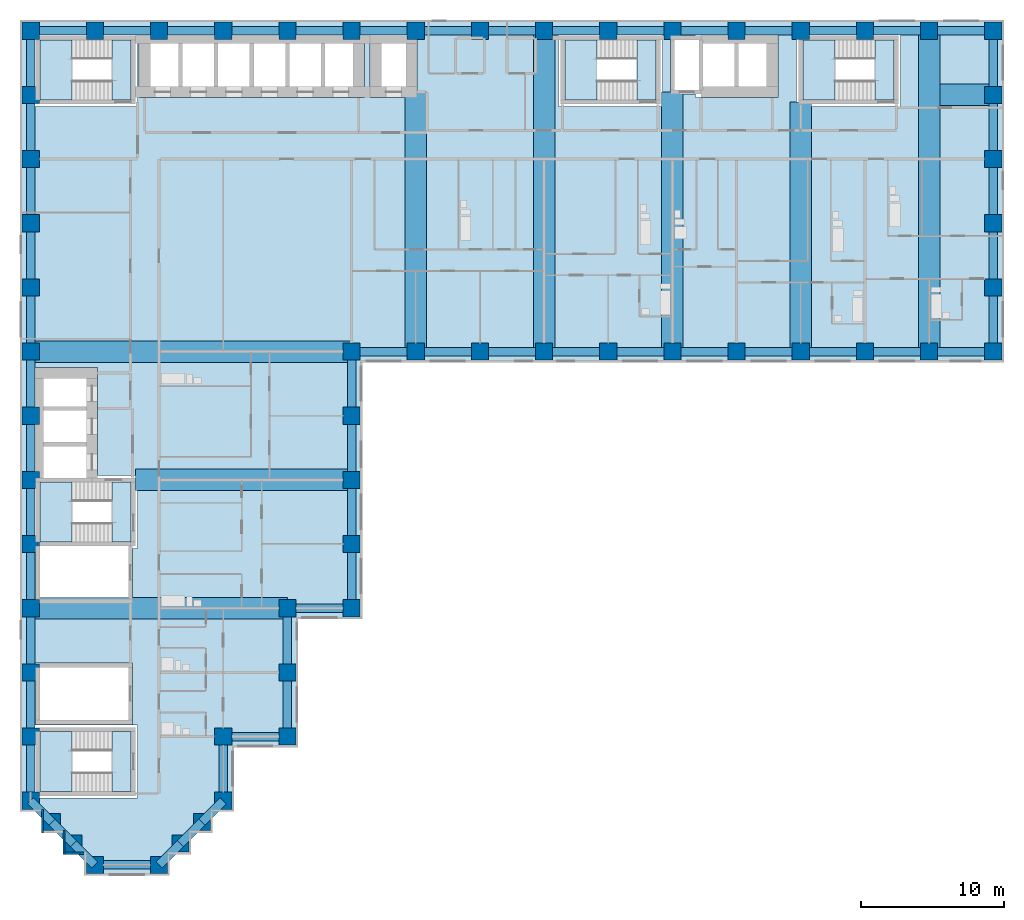
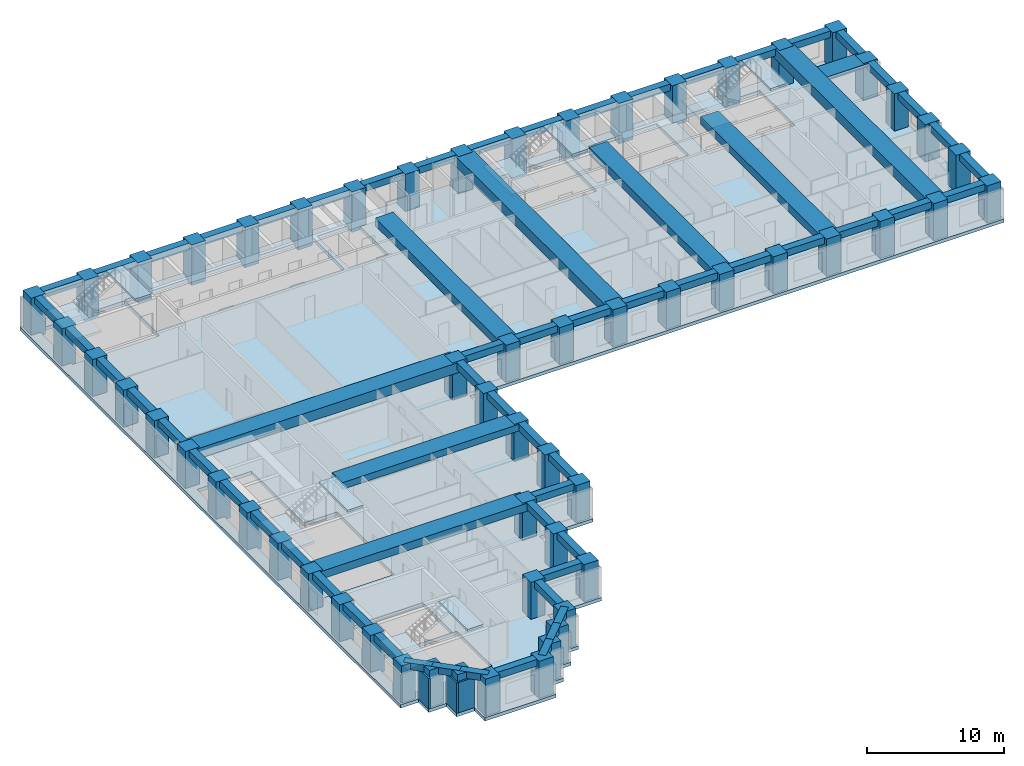
# One storey, part 1 of 12: 67 beams, 58 columns, 11 slabs, 3 walls, 5 elements without a shape of their own.
"""IFC4 building model written with IfcOpenShell, lengths in metres."""

from ifc_helpers import new_model, si_unit, direction, frame, frame_2d, origin, origin_2d, place, context, subcontext, project, spatial, polyline, rectangle, outline, extrude, material, layer, layer_set, material_profile, profile_set, type_object, element, aggregate, save


model = new_model("IFC4")

# Units and contexts
model_context = context("Model", 3, precision=1e-05, world=origin(), true_north=direction((0.0, 1.0)))
body_context = subcontext(model_context, "Body", "Model", "MODEL_VIEW")
ifc_project = project(units=[si_unit("LENGTHUNIT", "METRE"), si_unit("AREAUNIT", "SQUARE_METRE"), si_unit("VOLUMEUNIT", "CUBIC_METRE"), si_unit("PLANEANGLEUNIT", "RADIAN"), si_unit("MASSUNIT", "GRAM", prefix="KILO")], contexts=[model_context])

# Site, building, storey
site_placement = place(None, origin())
site = spatial("IfcSite", under=ifc_project, at=site_placement, CompositionType="ELEMENT")
building_placement = place(site_placement, origin())
building = spatial("IfcBuilding", under=site, at=building_placement, Name="Firuza Court", CompositionType="ELEMENT")
storey_placement = place(building_placement, frame((0.0, 0.0, 65.0)))
storey = spatial("IfcBuildingStorey", under=building, at=storey_placement, Name="L15", CompositionType="ELEMENT", Elevation=65.0)

# Columns
ifc_material_1 = material(Name="Concrete C70/85", Category="concrete")
ifc_material_profile_1 = material_profile(ifc_material_1, rectangle(XDim=1.199951171875, YDim=1.199951171875, at=origin_2d()), Name="RC 1200x1200")
ifc_profile_set_1 = profile_set([ifc_material_profile_1], Name="Concrete C70/85")
column_type = type_object("IfcColumnType", Name="Tube column RC 1200x1200 C70/85", PredefinedType="COLUMN", material=ifc_profile_set_1)
for number, where, z_axis, x_axis, name in (
    (1, (4.5, 0.0, -0.300048828125), (0.0, 0.0, 1.0), (1.0, 0.0, 0.0), "Column C-2D L15"),
    (2, (9.0, 0.0, -0.300048828125), (0.0, 0.0, 1.0), (1.0, 0.0, 0.0), "Column C-3D L15"),
    (3, (3.0, 1.5, -0.300048828125), (0.0, 0.0, 1.0), (1.0, 0.0, 0.0), "Column C-SA1 L15"),
    (4, (10.5, 1.5, -0.300048828125), (0.0, 0.0, 1.0), (1.0, 0.0, 0.0), "Column C-SA2 L15"),
    (5, (1.5, 3.0, -0.300048828125), (0.0, 0.0, 1.0), (1.0, 0.0, 0.0), "Column C-SA3 L15"),
    (6, (12.0, 3.0, -0.300048828125), (0.0, 0.0, 1.0), (1.0, 0.0, 0.0), "Column C-SA4 L15"),
    (7, (0.0, 4.5, -0.300048828125), (0.0, 0.0, 1.0), (1.0, 0.0, 0.0), "Column C-1E L15"),
    (8, (13.5, 4.5, -0.300048828125), (0.0, 0.0, 1.0), (1.0, 0.0, 0.0), "Column C-4E L15"),
    (9, (0.0, 9.0, -0.300048828125), (0.0, 0.0, 1.0), (1.0, 0.0, 0.0), "Column C-1F L15"),
    (10, (13.5, 9.0, -0.300048828125), (0.0, 0.0, 1.0), (1.0, 0.0, 0.0), "Column C-4F L15"),
    (11, (18.0, 9.0, -0.300048828125), (0.0, 0.0, 1.0), (1.0, 0.0, 0.0), "Column C-5F L15"),
    (12, (0.0, 13.5, -0.300048828125), (0.0, 0.0, 1.0), (1.0, 0.0, 0.0), "Column C-1G L15"),
    (13, (18.0, 13.5, -0.300048828125), (0.0, 0.0, 1.0), (1.0, 0.0, 0.0), "Column C-5G L15"),
    (14, (0.0, 18.0, -0.300048828125), (0.0, 0.0, 1.0), (1.0, 0.0, 0.0), "Column C-1H L15"),
    (15, (18.0, 18.0, -0.300048828125), (0.0, 0.0, 1.0), (1.0, 0.0, 0.0), "Column C-5H L15"),
    (16, (22.5, 18.0, -0.300048828125), (0.0, 0.0, 1.0), (1.0, 0.0, 0.0), "Column C-6H L15"),
    (17, (0.0, 22.5, -0.300048828125), (0.0, 0.0, 1.0), (1.0, 0.0, 0.0), "Column C-1J L15"),
    (18, (22.5, 22.5, -0.300048828125), (0.0, 0.0, 1.0), (1.0, 0.0, 0.0), "Column C-6J L15"),
    (19, (0.0, 27.0, -0.300048828125), (0.0, 0.0, 1.0), (1.0, 0.0, 0.0), "Column C-1K L15"),
    (20, (22.5, 27.0, -0.300048828125), (0.0, 0.0, 1.0), (1.0, 0.0, 0.0), "Column C-6K L15"),
    (21, (0.0, 31.5, -0.300048828125), (0.0, 0.0, 1.0), (1.0, 0.0, 0.0), "Column C-1L L15"),
    (22, (22.5, 31.5, -0.300048828125), (0.0, 0.0, 1.0), (1.0, 0.0, 0.0), "Column C-6L L15"),
    (23, (0.0, 36.0, -0.300048828125), (0.0, 0.0, 1.0), (1.0, 0.0, 0.0), "Column C-1M L15"),
    (24, (22.5, 36.0, -0.300048828125), (0.0, 0.0, 1.0), (1.0, 0.0, 0.0), "Column C-6M L15"),
    (25, (27.0, 36.0, -0.300048828125), (0.0, 0.0, 1.0), (1.0, 0.0, 0.0), "Column C-7M L15"),
    (26, (31.5, 36.0, -0.300048828125), (0.0, 0.0, 1.0), (1.0, 0.0, 0.0), "Column C-8M L15"),
    (27, (36.0, 36.0, -0.300048828125), (0.0, 0.0, 1.0), (1.0, 0.0, 0.0), "Column C-9M L15"),
    (28, (40.5, 36.0, -0.300048828125), (0.0, 0.0, 1.0), (1.0, 0.0, 0.0), "Column C-10M L15"),
    (29, (45.0, 36.0, -0.300048828125), (0.0, 0.0, 1.0), (1.0, 0.0, 0.0), "Column C-11M L15"),
    (30, (49.5, 36.0, -0.300048828125), (0.0, 0.0, 1.0), (1.0, 0.0, 0.0), "Column C-12M L15"),
    (31, (54.0, 36.0, -0.300048828125), (0.0, 0.0, 1.0), (1.0, 0.0, 0.0), "Column C-13M L15"),
    (32, (58.5, 36.0, -0.300048828125), (0.0, 0.0, 1.0), (1.0, 0.0, 0.0), "Column C-14M L15"),
    (33, (63.0, 36.0, -0.300048828125), (0.0, 0.0, 1.0), (1.0, 0.0, 0.0), "Column C-15M L15"),
    (34, (67.5, 36.0, -0.300048828125), (0.0, 0.0, 1.0), (1.0, 0.0, 0.0), "Column C-16M L15"),
    (35, (0.0, 40.5, -0.300048828125), (0.0, 0.0, 1.0), (1.0, 0.0, 0.0), "Column C-1N L15"),
    (36, (67.5, 40.5, -0.300048828125), (0.0, 0.0, 1.0), (1.0, 0.0, 0.0), "Column C-16N L15"),
    (37, (0.0, 45.0, -0.300048828125), (0.0, 0.0, 1.0), (1.0, 0.0, 0.0), "Column C-1P L15"),
    (38, (67.5, 45.0, -0.300048828125), (0.0, 0.0, 1.0), (1.0, 0.0, 0.0), "Column C-16P L15"),
    (39, (0.0, 49.5, -0.300048828125), (0.0, 0.0, 1.0), (1.0, 0.0, 0.0), "Column C-1Q L15"),
    (40, (67.5, 49.5, -0.300048828125), (0.0, 0.0, 1.0), (1.0, 0.0, 0.0), "Column C-16Q L15"),
    (41, (0.0, 54.0, -0.300048828125), (0.0, 0.0, 1.0), (1.0, 0.0, 0.0), "Column C-1R L15"),
    (42, (67.5, 54.0, -0.300048828125), (0.0, 0.0, 1.0), (1.0, 0.0, 0.0), "Column C-16R L15"),
    (43, (0.0, 58.5, -0.300048828125), (0.0, 0.0, 1.0), (1.0, 0.0, 0.0), "Column C-1S L15"),
    (44, (4.5, 58.5, -0.300048828125), (0.0, 0.0, 1.0), (1.0, 0.0, 0.0), "Column C-2S L15"),
    (45, (9.0, 58.5, -0.300048828125), (0.0, 0.0, 1.0), (1.0, 0.0, 0.0), "Column C-3S L15"),
    (46, (13.5, 58.5, -0.300048828125), (0.0, 0.0, 1.0), (1.0, 0.0, 0.0), "Column C-4S L15"),
    (47, (18.0, 58.5, -0.300048828125), (0.0, 0.0, 1.0), (1.0, 0.0, 0.0), "Column C-5S L15"),
    (48, (22.5, 58.5, -0.300048828125), (0.0, 0.0, 1.0), (1.0, 0.0, 0.0), "Column C-6S L15"),
    (49, (27.0, 58.5, -0.300048828125), (0.0, 0.0, 1.0), (1.0, 0.0, 0.0), "Column C-7S L15"),
    (50, (31.5, 58.5, -0.300048828125), (0.0, 0.0, 1.0), (1.0, 0.0, 0.0), "Column C-8S L15"),
    (51, (36.0, 58.5, -0.300048828125), (0.0, 0.0, 1.0), (1.0, 0.0, 0.0), "Column C-9S L15"),
    (52, (40.5, 58.5, -0.300048828125), (0.0, 0.0, 1.0), (1.0, 0.0, 0.0), "Column C-10S L15"),
    (53, (45.0, 58.5, -0.300048828125), (0.0, 0.0, 1.0), (1.0, 0.0, 0.0), "Column C-11S L15"),
    (54, (49.5, 58.5, -0.300048828125), (0.0, 0.0, 1.0), (1.0, 0.0, 0.0), "Column C-12S L15"),
    (55, (54.0, 58.5, -0.300048828125), (0.0, 0.0, 1.0), (1.0, 0.0, 0.0), "Column C-13S L15"),
    (56, (58.5, 58.5, -0.300048828125), (0.0, 0.0, 1.0), (1.0, 0.0, 0.0), "Column C-14S L15"),
    (57, (63.0, 58.5, -0.300048828125), (0.0, 0.0, 1.0), (1.0, 0.0, 0.0), "Column C-15S L15"),
    (58, (67.5, 58.5, -0.300048828125), (0.0, 0.0, 1.0), (1.0, 0.0, 0.0), "Column C-16S L15"),
):
    element("IfcColumn", number, at=place(storey_placement, frame(where, z_axis=z_axis, x_axis=x_axis)), inside=storey, type_object=column_type, Name=name, PredefinedType="COLUMN", context=body_context, shape_type="SweptSolid", body=[
        extrude(rectangle(XDim=1.199951171875, YDim=1.199951171875, at=origin_2d()), origin(), (0.0, 0.0, 1.0), 3.60009765625),
    ])

# Beams
ifc_material_2 = material(Name="Concrete C40/50", Category="concrete")
ifc_material_profile_2 = material_profile(ifc_material_2, rectangle(XDim=1.5, YDim=0.300048828125, at=origin_2d()), Name="RC 1500x300")
ifc_profile_set_2 = profile_set([ifc_material_profile_2], Name="Concrete C40/50")
beam_type_1 = type_object("IfcBeamType", Name="Band beam RC 1500x300 C40/50", PredefinedType="BEAM", material=ifc_profile_set_2)
beam_1_placement = place(storey_placement, frame((67.5, 54.0, 3.14990234375), z_axis=(-1.0, 0.0, 0.0), x_axis=(0.0, -1.0, 0.0)))
element("IfcBeam", 59, at=beam_1_placement, inside=storey, type_object=beam_type_1, Name="Band beam FB6 level L16", PredefinedType="BEAM", context=body_context, shape_type="SweptSolid", body=[
    extrude(rectangle(XDim=1.5, YDim=0.300048828125, at=origin_2d()), origin(), (0.0, 0.0, 1.0), 3.75),
])
ifc_material_3 = material(Name="Concrete C40/50", Category="concrete")
ifc_material_profile_3 = material_profile(ifc_material_3, rectangle(XDim=1.5, YDim=0.60009765625, at=origin_2d()), Name="RC 1500x600")
ifc_profile_set_3 = profile_set([ifc_material_profile_3], Name="Concrete C40/50")
beam_type_2 = type_object("IfcBeamType", Name="Band beam RC 1500x600 C40/50", PredefinedType="BEAM", material=ifc_profile_set_3)
beam_2_placement = place(storey_placement, frame((22.5, 27.0, 3.0), z_axis=(-1.0, 0.0, 0.0), x_axis=(0.0, -1.0, 0.0)))
element("IfcBeam", 60, at=beam_2_placement, inside=storey, type_object=beam_type_2, Name="Band beam FB3 level L16", PredefinedType="BEAM", context=body_context, shape_type="SweptSolid", body=[
    extrude(rectangle(XDim=1.5, YDim=0.60009765625, at=origin_2d()), origin(), (0.0, 0.0, 1.0), 15.14990234375),
])
ifc_material_4 = material(Name="Concrete C40/50", Category="concrete")
ifc_material_profile_4 = material_profile(ifc_material_4, rectangle(XDim=1.5, YDim=0.699951171875, at=origin_2d()), Name="RC 1500x700")
ifc_profile_set_4 = profile_set([ifc_material_profile_4], Name="Concrete C40/50")
beam_type_3 = type_object("IfcBeamType", Name="Band beam RC 1500x700 C40/50", PredefinedType="BEAM", material=ifc_profile_set_4)
beam_3_placement = place(storey_placement, frame((0.0, 18.0, 2.949951171875), z_axis=(1.0, 0.0, 0.0), x_axis=(0.0, 1.0, 0.0)))
element("IfcBeam", 61, at=beam_3_placement, inside=storey, type_object=beam_type_3, Name="Band beam FB1 level L16", PredefinedType="BEAM", context=body_context, shape_type="SweptSolid", body=[
    extrude(rectangle(XDim=1.5, YDim=0.699951171875, at=origin_2d()), origin(), (0.0, 0.0, 1.0), 18.0),
])
for number, where, z_axis, x_axis, name in (
    (62, (27.0, 36.0, 2.949951171875), (0.0, 1.0, 0.0), (-1.0, 0.0, 0.0), "Band beam FB1 level L16"),
    (63, (45.0, 36.0, 2.949951171875), (0.0, 1.0, 0.0), (-1.0, 0.0, 0.0), "Band beam FB1 level L16"),
):
    element("IfcBeam", number, at=place(storey_placement, frame(where, z_axis=z_axis, x_axis=x_axis)), inside=storey, type_object=beam_type_3, Name=name, PredefinedType="BEAM", context=body_context, shape_type="SweptSolid", body=[
        extrude(rectangle(XDim=1.5, YDim=0.699951171875, at=origin_2d()), origin(), (0.0, 0.0, 1.0), 18.199951171875),
    ])
beam_4_placement = place(storey_placement, frame((54.0, 36.0, 2.949951171875), z_axis=(0.0, 1.0, 0.0), x_axis=(-1.0, 0.0, 0.0)))
element("IfcBeam", 64, at=beam_4_placement, inside=storey, type_object=beam_type_3, Name="Band beam FB1 level L16", PredefinedType="BEAM", context=body_context, shape_type="SweptSolid", body=[
    extrude(rectangle(XDim=1.5, YDim=0.699951171875, at=origin_2d()), origin(), (0.0, 0.0, 1.0), 17.5),
])
ifc_material_5 = material(Name="Concrete C40/50", Category="concrete")
ifc_material_profile_5 = material_profile(ifc_material_5, rectangle(XDim=1.5, YDim=0.89990234375, at=origin_2d()), Name="RC 1500x900")
ifc_profile_set_5 = profile_set([ifc_material_profile_5], Name="Concrete C40/50")
beam_type_4 = type_object("IfcBeamType", Name="Band beam RC 1500x900 C40/50", PredefinedType="BEAM", material=ifc_profile_set_5)
for number, where, z_axis, x_axis, name in (
    (65, (0.0, 36.0, 2.85009765625), (1.0, 0.0, 0.0), (0.0, 1.0, 0.0), "Band beam FB2 level L16"),
    (66, (36.0, 36.0, 2.85009765625), (0.0, 1.0, 0.0), (-1.0, 0.0, 0.0), "Band beam FB2 level L16"),
    (67, (63.0, 36.0, 2.85009765625), (0.0, 1.0, 0.0), (-1.0, 0.0, 0.0), "Band beam FB2 level L16"),
):
    element("IfcBeam", number, at=place(storey_placement, frame(where, z_axis=z_axis, x_axis=x_axis)), inside=storey, type_object=beam_type_4, Name=name, PredefinedType="BEAM", context=body_context, shape_type="SweptSolid", body=[
        extrude(rectangle(XDim=1.5, YDim=0.89990234375, at=origin_2d()), origin(), (0.0, 0.0, 1.0), 22.5),
    ])
ifc_material_6 = material(Name="Concrete C40/50", Category="concrete")
ifc_material_profile_6 = material_profile(ifc_material_6, rectangle(XDim=0.60009765625, YDim=0.60009765625, at=origin_2d()), Name="RC 600x600")
ifc_profile_set_6 = profile_set([ifc_material_profile_6], Name="Concrete C40/50")
beam_type_5 = type_object("IfcBeamType", Name="Spandrel beam RC 600x600 C40/50", PredefinedType="BEAM", material=ifc_profile_set_6)
beam_5_placement = place(storey_placement, frame((0.0, 4.5, 3.0), z_axis=(0.707106781187, -0.707106781187, 0.0), x_axis=(0.707106781187, 0.707106781187, 0.0)))
element("IfcBeam", 68, at=beam_5_placement, inside=storey, type_object=beam_type_5, Name="Spandrel beam SP11 level L16", PredefinedType="BEAM", context=body_context, shape_type="SweptSolid", body=[
    extrude(rectangle(XDim=0.60009765625, YDim=0.60009765625, at=origin_2d()), origin(), (0.0, 0.0, 1.0), 2.121337890625),
])
for number, where, z_axis, x_axis, name in (
    (69, (0.0, 9.0, 3.0), (0.0, -1.0, 0.0), (1.0, 0.0, 0.0), "Spandrel beam SP11 level L16"),
    (70, (0.0, 13.5, 3.0), (0.0, -1.0, 0.0), (1.0, 0.0, 0.0), "Spandrel beam SP11 level L16"),
    (71, (0.0, 18.0, 3.0), (0.0, -1.0, 0.0), (1.0, 0.0, 0.0), "Spandrel beam SP11 level L16"),
    (72, (0.0, 22.5, 3.0), (0.0, -1.0, 0.0), (1.0, 0.0, 0.0), "Spandrel beam SP11 level L16"),
    (73, (0.0, 27.0, 3.0), (0.0, -1.0, 0.0), (1.0, 0.0, 0.0), "Spandrel beam SP11 level L16"),
    (74, (0.0, 31.5, 3.0), (0.0, -1.0, 0.0), (1.0, 0.0, 0.0), "Spandrel beam SP11 level L16"),
    (75, (0.0, 36.0, 3.0), (0.0, -1.0, 0.0), (1.0, 0.0, 0.0), "Spandrel beam SP11 level L16"),
    (76, (0.0, 40.5, 3.0), (0.0, -1.0, 0.0), (1.0, 0.0, 0.0), "Spandrel beam SP11 level L16"),
    (77, (0.0, 45.0, 3.0), (0.0, -1.0, 0.0), (1.0, 0.0, 0.0), "Spandrel beam SP11 level L16"),
    (78, (0.0, 49.5, 3.0), (0.0, -1.0, 0.0), (1.0, 0.0, 0.0), "Spandrel beam SP11 level L16"),
    (79, (0.0, 54.0, 3.0), (0.0, -1.0, 0.0), (1.0, 0.0, 0.0), "Spandrel beam SP11 level L16"),
    (80, (0.0, 58.5, 3.0), (0.0, -1.0, 0.0), (1.0, 0.0, 0.0), "Spandrel beam SP11 level L16"),
):
    element("IfcBeam", number, at=place(storey_placement, frame(where, z_axis=z_axis, x_axis=x_axis)), inside=storey, type_object=beam_type_5, Name=name, PredefinedType="BEAM", context=body_context, shape_type="SweptSolid", body=[
        extrude(rectangle(XDim=0.60009765625, YDim=0.60009765625, at=origin_2d()), origin(), (0.0, 0.0, 1.0), 4.5),
    ])
for number, where, z_axis, x_axis, name in (
    (81, (1.5, 3.0, 3.0), (0.707106781187, -0.707106781187, 0.0), (0.707106781187, 0.707106781187, 0.0), "Spandrel beam SP11 level L16"),
    (82, (3.0, 1.5, 3.0), (0.707106781187, -0.707106781187, 0.0), (0.707106781187, 0.707106781187, 0.0), "Spandrel beam SP11 level L16"),
):
    element("IfcBeam", number, at=place(storey_placement, frame(where, z_axis=z_axis, x_axis=x_axis)), inside=storey, type_object=beam_type_5, Name=name, PredefinedType="BEAM", context=body_context, shape_type="SweptSolid", body=[
        extrude(rectangle(XDim=0.60009765625, YDim=0.60009765625, at=origin_2d()), origin(), (0.0, 0.0, 1.0), 2.121337890625),
    ])
for number, where, z_axis, x_axis, name in (
    (83, (4.5, 0.0, 3.0), (1.0, 0.0, 0.0), (0.0, 1.0, 0.0), "Spandrel beam SP11 level L16"),
    (84, (4.5, 58.5, 3.0), (-1.0, 0.0, 0.0), (0.0, -1.0, 0.0), "Spandrel beam SP11 level L16"),
):
    element("IfcBeam", number, at=place(storey_placement, frame(where, z_axis=z_axis, x_axis=x_axis)), inside=storey, type_object=beam_type_5, Name=name, PredefinedType="BEAM", context=body_context, shape_type="SweptSolid", body=[
        extrude(rectangle(XDim=0.60009765625, YDim=0.60009765625, at=origin_2d()), origin(), (0.0, 0.0, 1.0), 4.5),
    ])
beam_6_placement = place(storey_placement, frame((9.0, 0.0, 3.0), z_axis=(0.707106781187, 0.707106781187, 0.0), x_axis=(-0.707106781187, 0.707106781187, 0.0)))
element("IfcBeam", 85, at=beam_6_placement, inside=storey, type_object=beam_type_5, Name="Spandrel beam SP11 level L16", PredefinedType="BEAM", context=body_context, shape_type="SweptSolid", body=[
    extrude(rectangle(XDim=0.60009765625, YDim=0.60009765625, at=origin_2d()), origin(), (0.0, 0.0, 1.0), 2.121337890625),
])
beam_7_placement = place(storey_placement, frame((9.0, 58.5, 3.0), z_axis=(-1.0, 0.0, 0.0), x_axis=(0.0, -1.0, 0.0)))
element("IfcBeam", 86, at=beam_7_placement, inside=storey, type_object=beam_type_5, Name="Spandrel beam SP11 level L16", PredefinedType="BEAM", context=body_context, shape_type="SweptSolid", body=[
    extrude(rectangle(XDim=0.60009765625, YDim=0.60009765625, at=origin_2d()), origin(), (0.0, 0.0, 1.0), 4.5),
])
for number, where, z_axis, x_axis, name in (
    (87, (10.5, 1.5, 3.0), (0.707106781187, 0.707106781187, 0.0), (-0.707106781187, 0.707106781187, 0.0), "Spandrel beam SP11 level L16"),
    (88, (12.0, 3.0, 3.0), (0.707106781187, 0.707106781187, 0.0), (-0.707106781187, 0.707106781187, 0.0), "Spandrel beam SP11 level L16"),
):
    element("IfcBeam", number, at=place(storey_placement, frame(where, z_axis=z_axis, x_axis=x_axis)), inside=storey, type_object=beam_type_5, Name=name, PredefinedType="BEAM", context=body_context, shape_type="SweptSolid", body=[
        extrude(rectangle(XDim=0.60009765625, YDim=0.60009765625, at=origin_2d()), origin(), (0.0, 0.0, 1.0), 2.121337890625),
    ])
for number, where, z_axis, x_axis, name in (
    (89, (13.5, 4.5, 3.0), (0.0, 1.0, 0.0), (-1.0, 0.0, 0.0), "Spandrel beam SP11 level L16"),
    (90, (13.5, 9.0, 3.0), (1.0, 0.0, 0.0), (0.0, 1.0, 0.0), "Spandrel beam SP11 level L16"),
    (91, (13.5, 58.5, 3.0), (-1.0, 0.0, 0.0), (0.0, -1.0, 0.0), "Spandrel beam SP11 level L16"),
    (92, (18.0, 9.0, 3.0), (0.0, 1.0, 0.0), (-1.0, 0.0, 0.0), "Spandrel beam SP11 level L16"),
    (93, (18.0, 13.5, 3.0), (0.0, 1.0, 0.0), (-1.0, 0.0, 0.0), "Spandrel beam SP11 level L16"),
    (94, (18.0, 18.0, 3.0), (1.0, 0.0, 0.0), (0.0, 1.0, 0.0), "Spandrel beam SP11 level L16"),
    (95, (18.0, 58.5, 3.0), (-1.0, 0.0, 0.0), (0.0, -1.0, 0.0), "Spandrel beam SP11 level L16"),
    (96, (22.5, 18.0, 3.0), (0.0, 1.0, 0.0), (-1.0, 0.0, 0.0), "Spandrel beam SP11 level L16"),
    (97, (22.5, 22.5, 3.0), (0.0, 1.0, 0.0), (-1.0, 0.0, 0.0), "Spandrel beam SP11 level L16"),
    (98, (22.5, 27.0, 3.0), (0.0, 1.0, 0.0), (-1.0, 0.0, 0.0), "Spandrel beam SP11 level L16"),
    (99, (22.5, 31.5, 3.0), (0.0, 1.0, 0.0), (-1.0, 0.0, 0.0), "Spandrel beam SP11 level L16"),
    (100, (22.5, 36.0, 3.0), (1.0, 0.0, 0.0), (0.0, 1.0, 0.0), "Spandrel beam SP11 level L16"),
    (101, (22.5, 58.5, 3.0), (-1.0, 0.0, 0.0), (0.0, -1.0, 0.0), "Spandrel beam SP11 level L16"),
    (102, (27.0, 36.0, 3.0), (1.0, 0.0, 0.0), (0.0, 1.0, 0.0), "Spandrel beam SP11 level L16"),
    (103, (27.0, 58.5, 3.0), (-1.0, 0.0, 0.0), (0.0, -1.0, 0.0), "Spandrel beam SP11 level L16"),
    (104, (31.5, 36.0, 3.0), (1.0, 0.0, 0.0), (0.0, 1.0, 0.0), "Spandrel beam SP11 level L16"),
    (105, (31.5, 58.5, 3.0), (-1.0, 0.0, 0.0), (0.0, -1.0, 0.0), "Spandrel beam SP11 level L16"),
    (106, (36.0, 36.0, 3.0), (1.0, 0.0, 0.0), (0.0, 1.0, 0.0), "Spandrel beam SP11 level L16"),
    (107, (36.0, 58.5, 3.0), (-1.0, 0.0, 0.0), (0.0, -1.0, 0.0), "Spandrel beam SP11 level L16"),
    (108, (40.5, 36.0, 3.0), (1.0, 0.0, 0.0), (0.0, 1.0, 0.0), "Spandrel beam SP11 level L16"),
    (109, (40.5, 58.5, 3.0), (-1.0, 0.0, 0.0), (0.0, -1.0, 0.0), "Spandrel beam SP11 level L16"),
    (110, (45.0, 36.0, 3.0), (1.0, 0.0, 0.0), (0.0, 1.0, 0.0), "Spandrel beam SP11 level L16"),
    (111, (45.0, 58.5, 3.0), (-1.0, 0.0, 0.0), (0.0, -1.0, 0.0), "Spandrel beam SP11 level L16"),
    (112, (49.5, 36.0, 3.0), (1.0, 0.0, 0.0), (0.0, 1.0, 0.0), "Spandrel beam SP11 level L16"),
    (113, (49.5, 58.5, 3.0), (-1.0, 0.0, 0.0), (0.0, -1.0, 0.0), "Spandrel beam SP11 level L16"),
    (114, (54.0, 36.0, 3.0), (1.0, 0.0, 0.0), (0.0, 1.0, 0.0), "Spandrel beam SP11 level L16"),
    (115, (54.0, 58.5, 3.0), (-1.0, 0.0, 0.0), (0.0, -1.0, 0.0), "Spandrel beam SP11 level L16"),
    (116, (58.5, 36.0, 3.0), (1.0, 0.0, 0.0), (0.0, 1.0, 0.0), "Spandrel beam SP11 level L16"),
    (117, (58.5, 58.5, 3.0), (-1.0, 0.0, 0.0), (0.0, -1.0, 0.0), "Spandrel beam SP11 level L16"),
    (118, (63.0, 36.0, 3.0), (1.0, 0.0, 0.0), (0.0, 1.0, 0.0), "Spandrel beam SP11 level L16"),
    (119, (63.0, 58.5, 3.0), (-1.0, 0.0, 0.0), (0.0, -1.0, 0.0), "Spandrel beam SP11 level L16"),
    (120, (67.5, 36.0, 3.0), (0.0, 1.0, 0.0), (-1.0, 0.0, 0.0), "Spandrel beam SP11 level L16"),
    (121, (67.5, 40.5, 3.0), (0.0, 1.0, 0.0), (-1.0, 0.0, 0.0), "Spandrel beam SP11 level L16"),
    (122, (67.5, 45.0, 3.0), (0.0, 1.0, 0.0), (-1.0, 0.0, 0.0), "Spandrel beam SP11 level L16"),
    (123, (67.5, 49.5, 3.0), (0.0, 1.0, 0.0), (-1.0, 0.0, 0.0), "Spandrel beam SP11 level L16"),
    (124, (67.5, 54.0, 3.0), (0.0, 1.0, 0.0), (-1.0, 0.0, 0.0), "Spandrel beam SP11 level L16"),
    (125, (67.5, 58.5, 3.0), (-1.0, 0.0, 0.0), (0.0, -1.0, 0.0), "Spandrel beam SP11 level L16"),
):
    element("IfcBeam", number, at=place(storey_placement, frame(where, z_axis=z_axis, x_axis=x_axis)), inside=storey, type_object=beam_type_5, Name=name, PredefinedType="BEAM", context=body_context, shape_type="SweptSolid", body=[
        extrude(rectangle(XDim=0.60009765625, YDim=0.60009765625, at=origin_2d()), origin(), (0.0, 0.0, 1.0), 4.5),
    ])

# Slab
ifc_material_7 = material(Name="Concrete C40/50", Category="concrete")
ifc_layer_1 = layer(ifc_material_7, 0.300048828125)
ifc_layer_set_1 = layer_set([ifc_layer_1], Name="Concrete C40/50")
slab_type_1 = type_object("IfcSlabType", Name="Floor slab 300 C40/50", PredefinedType="FLOOR", material=ifc_layer_set_1)
slab_1_placement = place(storey_placement, frame((0.0, 0.0, -0.300048828125)))
element("IfcSlab", 126, at=slab_1_placement, inside=storey, type_object=slab_type_1, Name="Floor slab L15", PredefinedType="FLOOR", context=body_context, shape_type="SweptSolid", body=[
    extrude(outline(polyline([(3.75, -0.75), (3.75, 0.75), (2.25, 0.75), (2.25, 2.25), (0.75, 2.25), (0.75, 3.75), (-0.75, 3.75), (-0.75, 59.25), (68.25, 59.25), (68.25, 35.25), (23.25, 35.25), (23.25, 17.25), (18.75, 17.25), (18.75, 8.25), (14.25, 8.25), (14.25, 3.75), (12.75, 3.75), (12.75, 2.25), (11.25, 2.25), (11.25, 0.75), (9.75, 0.75), (9.75, -0.75), (3.75, -0.75)]), holes=[polyline([(7.5, 9.800048828125), (0.199951171875, 9.800048828125), (0.199951171875, 4.699951171875), (7.5, 4.699951171875), (7.5, 9.800048828125)]), polyline([(7.14990234375, 14.14990234375), (0.35009765625, 14.14990234375), (0.35009765625, 9.85009765625), (7.14990234375, 9.85009765625), (7.14990234375, 14.14990234375)]), polyline([(0.199951171875, 22.199951171875), (0.35009765625, 22.199951171875), (0.35009765625, 18.35009765625), (7.14990234375, 18.35009765625), (7.14990234375, 22.199951171875), (7.5, 22.199951171875), (7.5, 27.300048828125), (4.699951171875, 27.300048828125), (4.699951171875, 29.10009765625), (4.699951171875, 29.89990234375), (4.699951171875, 31.60009765625), (4.699951171875, 32.39990234375), (4.699951171875, 34.89990234375), (0.10009765625, 34.89990234375), (0.10009765625, 32.39990234375), (0.10009765625, 31.60009765625), (0.10009765625, 29.89990234375), (0.10009765625, 29.10009765625), (0.10009765625, 26.60009765625), (0.199951171875, 26.60009765625), (0.199951171875, 22.199951171875)]), polyline([(7.5, 58.300048828125), (0.199951171875, 58.300048828125), (0.199951171875, 53.199951171875), (7.5, 53.199951171875), (7.5, 58.300048828125)]), polyline([(10.10009765625, 58.39990234375), (7.60009765625, 58.39990234375), (7.60009765625, 53.800048828125), (10.10009765625, 53.800048828125), (10.89990234375, 53.800048828125), (12.60009765625, 53.800048828125), (13.39990234375, 53.800048828125), (15.10009765625, 53.800048828125), (15.89990234375, 53.800048828125), (17.60009765625, 53.800048828125), (18.39990234375, 53.800048828125), (20.10009765625, 53.800048828125), (20.89990234375, 53.800048828125), (23.39990234375, 53.800048828125), (23.39990234375, 58.39990234375), (20.89990234375, 58.39990234375), (20.10009765625, 58.39990234375), (18.39990234375, 58.39990234375), (17.60009765625, 58.39990234375), (15.89990234375, 58.39990234375), (15.10009765625, 58.39990234375), (13.39990234375, 58.39990234375), (12.60009765625, 58.39990234375), (10.89990234375, 58.39990234375), (10.10009765625, 58.39990234375)]), polyline([(44.300048828125, 58.300048828125), (37.0, 58.300048828125), (37.0, 53.199951171875), (44.300048828125, 53.199951171875), (44.300048828125, 58.300048828125)]), polyline([(61.0, 58.300048828125), (53.699951171875, 58.300048828125), (53.699951171875, 53.199951171875), (61.0, 53.199951171875), (61.0, 58.300048828125)]), polyline([(27.10009765625, 58.39990234375), (23.800048828125, 58.39990234375), (23.800048828125, 53.800048828125), (27.10009765625, 53.800048828125), (27.10009765625, 58.39990234375)]), polyline([(46.60009765625, 58.14990234375), (44.85009765625, 58.14990234375), (44.85009765625, 54.050048828125), (46.60009765625, 54.050048828125), (46.60009765625, 53.800048828125), (49.10009765625, 53.800048828125), (49.89990234375, 53.800048828125), (52.39990234375, 53.800048828125), (52.39990234375, 58.39990234375), (49.89990234375, 58.39990234375), (49.10009765625, 58.39990234375), (46.60009765625, 58.39990234375), (46.60009765625, 58.14990234375)])]), origin(), (0.0, 0.0, 1.0), 0.300048828125),
])

# Stair, slabs
ifc_material_8 = material(Name="Concrete C40/50 precast", Category="concrete")
stair_type = type_object("IfcStairType", Name="Stair 1350 x 3600 2 flights", PredefinedType="HALF_TURN_STAIR", material=ifc_material_8)
stair_1_placement = place(storey_placement, origin())
stair_1 = element("IfcStair", 127, at=stair_1_placement, inside=storey, type_object=stair_type, Name="Stair 1 L15", PredefinedType="HALF_TURN_STAIR")
ifc_material_9 = material(Name="Concrete C40/50 precast", Category="concrete")
ifc_layer_2 = layer(ifc_material_9, 0.199951171875)
ifc_layer_set_2 = layer_set([ifc_layer_2], Name="Concrete C40/50 precast")
slab_type_2 = type_object("IfcSlabType", Name="Stair landing 200", PredefinedType="LANDING", material=ifc_layer_set_2)
slab_2_placement = place(storey_placement, frame((0.0, 0.0, 1.60009765625)))
slab_2 = element("IfcSlab", 128, at=slab_2_placement, type_object=slab_type_2, Name="S1 landing 1", PredefinedType="LANDING", context=body_context, shape_type="SweptSolid", body=[
    extrude(outline(polyline([(39.699951171875, 53.64990234375), (39.699951171875, 57.85009765625), (37.449951171875, 57.85009765625), (37.449951171875, 53.64990234375), (39.699951171875, 53.64990234375)])), origin(), (0.0, 0.0, 1.0), 0.199951171875),
])
slab_3_placement = place(storey_placement, frame((0.0, 0.0, 3.39990234375)))
slab_3 = element("IfcSlab", 129, at=slab_3_placement, type_object=slab_type_2, Name="S1 landing 2", PredefinedType="LANDING", context=body_context, shape_type="SweptSolid", body=[
    extrude(outline(polyline([(43.85009765625, 53.64990234375), (43.85009765625, 57.85009765625), (42.5, 57.85009765625), (42.5, 53.64990234375), (43.85009765625, 53.64990234375)])), origin(), (0.0, 0.0, 1.0), 0.2001953125),
])
aggregate(stair_1, [slab_2, slab_3])

stair_2_placement = place(storey_placement, origin())
stair_2 = element("IfcStair", 130, at=stair_2_placement, inside=storey, type_object=stair_type, Name="Stair 2 L15", PredefinedType="HALF_TURN_STAIR")
slab_4_placement = place(storey_placement, frame((0.0, 0.0, 1.60009765625)))
slab_4 = element("IfcSlab", 131, at=slab_4_placement, type_object=slab_type_2, Name="S2 landing 1", PredefinedType="LANDING", context=body_context, shape_type="SweptSolid", body=[
    extrude(outline(polyline([(2.89990234375, 22.64990234375), (2.89990234375, 26.85009765625), (0.64990234375, 26.85009765625), (0.64990234375, 22.64990234375), (2.89990234375, 22.64990234375)])), origin(), (0.0, 0.0, 1.0), 0.199951171875),
])
slab_5_placement = place(storey_placement, frame((0.0, 0.0, 3.39990234375)))
slab_5 = element("IfcSlab", 132, at=slab_5_placement, type_object=slab_type_2, Name="S2 landing 2", PredefinedType="LANDING", context=body_context, shape_type="SweptSolid", body=[
    extrude(outline(polyline([(7.050048828125, 22.64990234375), (7.050048828125, 26.85009765625), (5.699951171875, 26.85009765625), (5.699951171875, 22.64990234375), (7.050048828125, 22.64990234375)])), origin(), (0.0, 0.0, 1.0), 0.2001953125),
])
aggregate(stair_2, [slab_4, slab_5])

stair_3_placement = place(storey_placement, origin())
stair_3 = element("IfcStair", 133, at=stair_3_placement, inside=storey, type_object=stair_type, Name="Stair 3 L15", PredefinedType="HALF_TURN_STAIR")
slab_6_placement = place(storey_placement, frame((0.0, 0.0, 1.60009765625)))
slab_6 = element("IfcSlab", 134, at=slab_6_placement, type_object=slab_type_2, Name="S3 landing 1", PredefinedType="LANDING", context=body_context, shape_type="SweptSolid", body=[
    extrude(outline(polyline([(2.89990234375, 53.64990234375), (2.89990234375, 57.85009765625), (0.64990234375, 57.85009765625), (0.64990234375, 53.64990234375), (2.89990234375, 53.64990234375)])), origin(), (0.0, 0.0, 1.0), 0.199951171875),
])
slab_7_placement = place(storey_placement, frame((0.0, 0.0, 3.39990234375)))
slab_7 = element("IfcSlab", 135, at=slab_7_placement, type_object=slab_type_2, Name="S3 landing 2", PredefinedType="LANDING", context=body_context, shape_type="SweptSolid", body=[
    extrude(outline(polyline([(7.050048828125, 53.64990234375), (7.050048828125, 57.85009765625), (5.699951171875, 57.85009765625), (5.699951171875, 53.64990234375), (7.050048828125, 53.64990234375)])), origin(), (0.0, 0.0, 1.0), 0.2001953125),
])
aggregate(stair_3, [slab_6, slab_7])

stair_4_placement = place(storey_placement, origin())
stair_4 = element("IfcStair", 136, at=stair_4_placement, inside=storey, type_object=stair_type, Name="Stair 4 L15", PredefinedType="HALF_TURN_STAIR")
slab_8_placement = place(storey_placement, frame((0.0, 0.0, 1.60009765625)))
slab_8 = element("IfcSlab", 137, at=slab_8_placement, type_object=slab_type_2, Name="S4 landing 1", PredefinedType="LANDING", context=body_context, shape_type="SweptSolid", body=[
    extrude(outline(polyline([(56.39990234375, 53.64990234375), (56.39990234375, 57.85009765625), (54.14990234375, 57.85009765625), (54.14990234375, 53.64990234375), (56.39990234375, 53.64990234375)])), origin(), (0.0, 0.0, 1.0), 0.199951171875),
])
slab_9_placement = place(storey_placement, frame((0.0, 0.0, 3.39990234375)))
slab_9 = element("IfcSlab", 138, at=slab_9_placement, type_object=slab_type_2, Name="S4 landing 2", PredefinedType="LANDING", context=body_context, shape_type="SweptSolid", body=[
    extrude(outline(polyline([(60.550048828125, 53.64990234375), (60.550048828125, 57.85009765625), (59.199951171875, 57.85009765625), (59.199951171875, 53.64990234375), (60.550048828125, 53.64990234375)])), origin(), (0.0, 0.0, 1.0), 0.2001953125),
])
aggregate(stair_4, [slab_8, slab_9])

stair_5_placement = place(storey_placement, origin())
stair_5 = element("IfcStair", 139, at=stair_5_placement, inside=storey, type_object=stair_type, Name="Stair 5 L15", PredefinedType="HALF_TURN_STAIR")
slab_10_placement = place(storey_placement, frame((0.0, 0.0, 1.60009765625)))
slab_10 = element("IfcSlab", 140, at=slab_10_placement, type_object=slab_type_2, Name="S5 landing 1", PredefinedType="LANDING", context=body_context, shape_type="SweptSolid", body=[
    extrude(outline(polyline([(2.89990234375, 5.14990234375), (2.89990234375, 9.35009765625), (0.64990234375, 9.35009765625), (0.64990234375, 5.14990234375), (2.89990234375, 5.14990234375)])), origin(), (0.0, 0.0, 1.0), 0.199951171875),
])
slab_11_placement = place(storey_placement, frame((0.0, 0.0, 3.39990234375)))
slab_11 = element("IfcSlab", 141, at=slab_11_placement, type_object=slab_type_2, Name="S5 landing 2", PredefinedType="LANDING", context=body_context, shape_type="SweptSolid", body=[
    extrude(outline(polyline([(7.050048828125, 5.14990234375), (7.050048828125, 9.35009765625), (5.699951171875, 9.35009765625), (5.699951171875, 5.14990234375), (7.050048828125, 5.14990234375)])), origin(), (0.0, 0.0, 1.0), 0.2001953125),
])
aggregate(stair_5, [slab_10, slab_11])

# Walls
ifc_material_10 = material(Name="Ceramic tile", Category="ceramic")
ifc_layer_3 = layer(ifc_material_10, 0.02001953125)
ifc_material_11 = material(Name="Mineral wool insulation", Category="insulation")
ifc_layer_4 = layer(ifc_material_11, 0.050048828125)
ifc_layer_5 = layer(ifc_material_9, 0.080078125)
ifc_layer_set_3 = layer_set([ifc_layer_3, ifc_layer_4, ifc_layer_5], Name="Concrete C40/50 precast")
wall_type = type_object("IfcWallType", Name="Precast cladding wall with turquoise TILE PANEL face 150", PredefinedType="STANDARD", material=ifc_layer_set_3)
for number, where, z_axis, x_axis, name in (
    (142, (0.824951171875, 3.89990234375, 0.0), (0.0, 0.0, 1.0), (0.0, -1.0, 0.0), "Facade wall L15 W"),
    (143, (2.324951171875, 2.39990234375, 0.0), (0.0, 0.0, 1.0), (0.0, -1.0, 0.0), "Facade wall L15 W"),
):
    element("IfcWall", number, at=place(storey_placement, frame(where, z_axis=z_axis, x_axis=x_axis)), inside=storey, type_object=wall_type, Name=name, PredefinedType="STANDARD", context=body_context, shape_type="SweptSolid", body=[
        extrude(rectangle(XDim=1.64990234375, YDim=0.14990234375, at=frame_2d((0.824951171875, 0.0))), origin(), (0.0, 0.0, 1.0), 2.699951171875),
    ])
wall_placement = place(storey_placement, frame((2.39990234375, 0.824951171875, 0.0), z_axis=(0.0, 0.0, 1.0), x_axis=(1.0, 0.0, 0.0)))
element("IfcWall", 144, at=wall_placement, inside=storey, type_object=wall_type, Name="Facade wall L15 S", PredefinedType="STANDARD", context=body_context, shape_type="SweptSolid", body=[
    extrude(rectangle(XDim=1.35009765625, YDim=0.14990234375, at=frame_2d((0.675048828125, 0.0))), origin(), (0.0, 0.0, 1.0), 2.699951171875),
])

save(model, "model.ifc")
